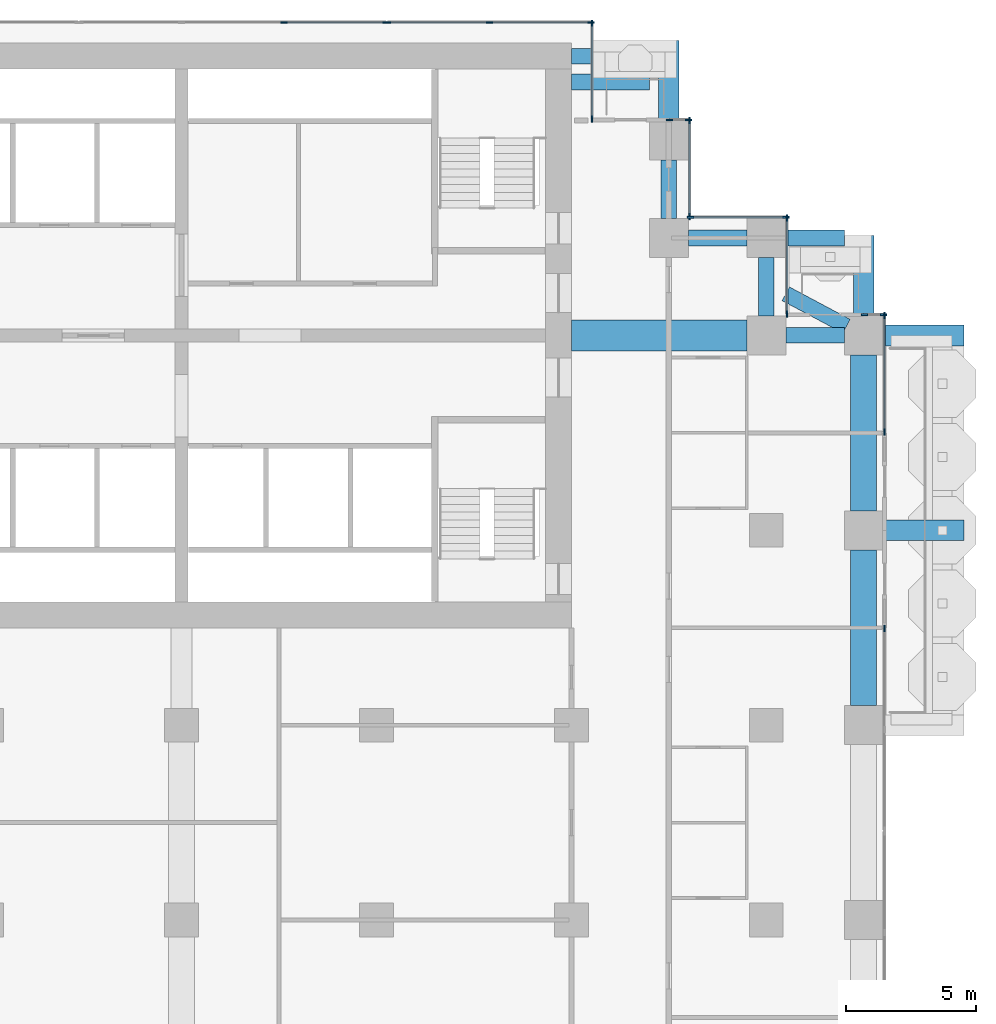
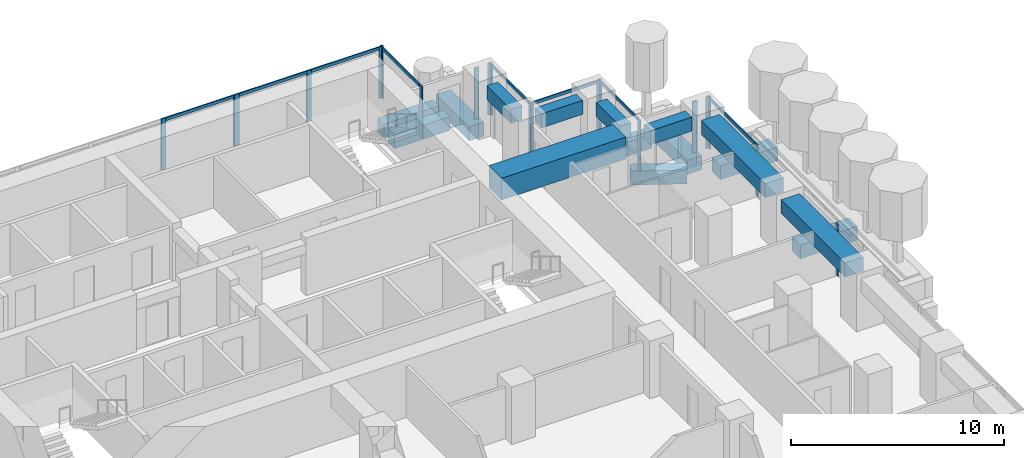
# One storey, part 6 of 20: 28 members, 15 beams, 10 elements without a shape of their own.
"""IFC4 building model written with IfcOpenShell, lengths in metres."""

from ifc_helpers import new_model, si_unit, direction, frame, origin, origin_2d, place, context, subcontext, project, spatial, rectangle, extrude, material, material_profile, profile_set, type_object, element, aggregate, save


model = new_model("IFC4")

# Units and contexts
model_context = context("Model", 3, precision=1e-05, world=origin(), true_north=direction((0.0, 1.0)))
body_context = subcontext(model_context, "Body", "Model", "MODEL_VIEW")
ifc_project = project(units=[si_unit("LENGTHUNIT", "METRE"), si_unit("AREAUNIT", "SQUARE_METRE"), si_unit("VOLUMEUNIT", "CUBIC_METRE"), si_unit("PLANEANGLEUNIT", "RADIAN"), si_unit("MASSUNIT", "GRAM", prefix="KILO")], contexts=[model_context])

# Site, building, storey
site_placement = place(None, origin())
site = spatial("IfcSite", under=ifc_project, at=site_placement, CompositionType="ELEMENT")
building_placement = place(site_placement, origin())
building = spatial("IfcBuilding", under=site, at=building_placement, Name="Pilkhan Gate Tower", CompositionType="ELEMENT")
storey_placement = place(building_placement, frame((0.0, 0.0, 98.89990234375)))
storey = spatial("IfcBuildingStorey", under=building, at=storey_placement, Name="L24", CompositionType="ELEMENT", Elevation=98.89990234375)

# Beams
ifc_material_1 = material(Name="Concrete C50/60", Category="concrete")
ifc_material_profile_1 = material_profile(ifc_material_1, rectangle(XDim=0.60009765625, YDim=0.800048828125, at=origin_2d()), Name="RC 600x800")
ifc_profile_set_1 = profile_set([ifc_material_profile_1], Name="Concrete C50/60")
beam_type_1 = type_object("IfcBeamType", Name="Cantilever beam CB1 RC 600x800 C50/60", PredefinedType="BEAM", material=ifc_profile_set_1)
for number, where, z_axis, x_axis, name in (
    (1, (90.0, 93.25, -0.699951171875), (1.0, 0.0, 0.0), (0.0, 1.0, 0.0), "Balcony beam NE.2 L24"),
    (2, (90.0, 92.25, -0.699951171875), (1.0, 0.0, 0.0), (0.0, 1.0, 0.0), "Balcony beam NE.3 L24"),
):
    element("IfcBeam", number, at=place(storey_placement, frame(where, z_axis=z_axis, x_axis=x_axis)), inside=storey, type_object=beam_type_1, Name=name, PredefinedType="BEAM", context=body_context, shape_type="SweptSolid", body=[
        extrude(rectangle(XDim=0.60009765625, YDim=0.800048828125, at=origin_2d()), origin(), (0.0, 0.0, 1.0), 3.0),
    ])
beam_1_placement = place(storey_placement, frame((98.25, 86.25, -0.699951171875), z_axis=(1.0, 0.0, 0.0), x_axis=(0.0, 1.0, 0.0)))
element("IfcBeam", 3, at=beam_1_placement, inside=storey, type_object=beam_type_1, Name="Balcony beam NE2.2 L24", PredefinedType="BEAM", context=body_context, shape_type="SweptSolid", body=[
    extrude(rectangle(XDim=0.60009765625, YDim=0.800048828125, at=origin_2d()), origin(), (0.0, 0.0, 1.0), 2.25),
])
beam_2_placement = place(storey_placement, frame((100.588134765625, 82.85302734375, -0.699951171875), z_axis=(-0.882342739565, 0.470607362817, 0.0), x_axis=(-0.470607362817, -0.882342739565, 0.0)))
element("IfcBeam", 4, at=beam_2_placement, inside=storey, type_object=beam_type_1, Name="Balcony beam NE2.3 L24", PredefinedType="BEAM", context=body_context, shape_type="SweptSolid", body=[
    extrude(rectangle(XDim=0.60009765625, YDim=0.800048828125, at=origin_2d()), origin(), (0.0, 0.0, 1.0), 2.64990234375),
])
ifc_material_profile_2 = material_profile(ifc_material_1, rectangle(XDim=0.800048828125, YDim=0.800048828125, at=origin_2d()), Name="RC 800x800")
ifc_profile_set_2 = profile_set([ifc_material_profile_2], Name="Concrete C50/60")
beam_type_2 = type_object("IfcBeamType", Name="Cantilever beam CB2 RC 800x800 C50/60", PredefinedType="BEAM", material=ifc_profile_set_2)
for number, where, z_axis, x_axis, name in (
    (5, (102.0, 75.0, -0.699951171875), (1.0, 0.0, 0.0), (0.0, 1.0, 0.0), "Balcony beam E.2 L24"),
    (6, (102.0, 82.5, -0.699951171875), (1.0, 0.0, 0.0), (0.0, 1.0, 0.0), "Balcony beam E.3 L24"),
    (7, (93.75, 90.75, -0.699951171875), (0.0, 1.0, 0.0), (-1.0, 0.0, 0.0), "Balcony beam NE.1 L24"),
    (8, (101.25, 83.25, -0.699951171875), (0.0, 1.0, 0.0), (-1.0, 0.0, 0.0), "Balcony beam NE2.1 L24"),
):
    element("IfcBeam", number, at=place(storey_placement, frame(where, z_axis=z_axis, x_axis=x_axis)), inside=storey, type_object=beam_type_2, Name=name, PredefinedType="BEAM", context=body_context, shape_type="SweptSolid", body=[
        extrude(rectangle(XDim=0.800048828125, YDim=0.800048828125, at=origin_2d()), origin(), (0.0, 0.0, 1.0), 3.10009765625),
    ])

# Curtain wall, member
ifc_material_2 = material(Name="Pale anodised aluminium, clear low-iron double glazing", Category="aluminium")
curtain_wall_type = type_object("IfcCurtainWallType", Name="Hotel unitised curtain wall CW-H", PredefinedType="USERDEFINED", material=ifc_material_2)
curtain_wall_1_placement = place(storey_placement, origin())
curtain_wall_1 = element("IfcCurtainWall", 9, at=curtain_wall_1_placement, inside=storey, type_object=curtain_wall_type, Name="Hotel unitised curtain wall CW-H L24 E", ObjectType="UNITISED CURTAIN WALL", PredefinedType="USERDEFINED")
ifc_material_3 = material(Name="Pale anodised aluminium", Category="aluminium")
ifc_material_profile_3 = material_profile(ifc_material_3, rectangle(XDim=0.06494140625, YDim=0.25, at=origin_2d()), Name="Mullion 250x65")
ifc_profile_set_3 = profile_set([ifc_material_profile_3], Name="Pale anodised aluminium")
member_type_1 = type_object("IfcMemberType", Name="Mullion CW-H 250x65", PredefinedType="MULLION", material=ifc_profile_set_3)
member_1_placement = place(storey_placement, frame((102.044921875, 71.217529296875, 0.0), z_axis=(0.0, 0.0, 1.0), x_axis=(-1.0, 0.0, 0.0)))
member_1 = element("IfcMember", 10, at=member_1_placement, type_object=member_type_1, Name="CW-H mullion 3", PredefinedType="MULLION", context=body_context, shape_type="SweptSolid", body=[
    extrude(rectangle(XDim=0.06494140625, YDim=0.25, at=origin_2d()), origin(), (0.0, 0.0, 1.0), 2.9501953125),
])
aggregate(curtain_wall_1, [member_1])

# Curtain wall, members
curtain_wall_2_placement = place(storey_placement, origin())
curtain_wall_2 = element("IfcCurtainWall", 11, at=curtain_wall_2_placement, inside=storey, type_object=curtain_wall_type, Name="Hotel unitised curtain wall CW-H L24 E", ObjectType="UNITISED CURTAIN WALL", PredefinedType="USERDEFINED")
member_2_placement = place(storey_placement, frame((102.044921875, 78.782470703125, 0.0), z_axis=(0.0, 0.0, 1.0), x_axis=(-1.0, 0.0, 0.0)))
member_2 = element("IfcMember", 12, at=member_2_placement, type_object=member_type_1, Name="CW-H mullion 1", PredefinedType="MULLION", context=body_context, shape_type="SweptSolid", body=[
    extrude(rectangle(XDim=0.06494140625, YDim=0.25, at=origin_2d()), origin(), (0.0, 0.0, 1.0), 2.9501953125),
])
member_3_placement = place(storey_placement, frame((102.044921875, 83.262451171875, 0.0), z_axis=(0.0, 0.0, 1.0), x_axis=(-1.0, 0.0, 0.0)))
member_3 = element("IfcMember", 13, at=member_3_placement, type_object=member_type_1, Name="CW-H mullion 2", PredefinedType="MULLION", context=body_context, shape_type="SweptSolid", body=[
    extrude(rectangle(XDim=0.06494140625, YDim=0.25, at=origin_2d()), origin(), (0.0, 0.0, 1.0), 2.9501953125),
])

curtain_wall_3_placement = place(storey_placement, origin())
curtain_wall_3 = element("IfcCurtainWall", 14, at=curtain_wall_3_placement, inside=storey, type_object=curtain_wall_type, Name="Hotel unitised curtain wall CW-H L24 N", ObjectType="UNITISED CURTAIN WALL", PredefinedType="USERDEFINED")
member_4_placement = place(storey_placement, frame((101.282470703125, 83.294921875, 0.0), z_axis=(0.0, 0.0, 1.0), x_axis=(0.0, 1.0, 0.0)))
member_4 = element("IfcMember", 15, at=member_4_placement, type_object=member_type_1, Name="CW-H mullion 1", PredefinedType="MULLION", context=body_context, shape_type="SweptSolid", body=[
    extrude(rectangle(XDim=0.06494140625, YDim=0.25, at=origin_2d()), origin(), (0.0, 0.0, 1.0), 2.9501953125),
])
member_5_placement = place(storey_placement, frame((102.012451171875, 83.294921875, 0.0), z_axis=(0.0, 0.0, 1.0), x_axis=(0.0, 1.0, 0.0)))
member_5 = element("IfcMember", 16, at=member_5_placement, type_object=member_type_1, Name="CW-H mullion 2", PredefinedType="MULLION", context=body_context, shape_type="SweptSolid", body=[
    extrude(rectangle(XDim=0.06494140625, YDim=0.25, at=origin_2d()), origin(), (0.0, 0.0, 1.0), 2.9501953125),
])
aggregate(curtain_wall_3, [member_4, member_5])

curtain_wall_4_placement = place(storey_placement, origin())
curtain_wall_4 = element("IfcCurtainWall", 17, at=curtain_wall_4_placement, inside=storey, type_object=curtain_wall_type, Name="Hotel unitised curtain wall CW-H L24 E", ObjectType="UNITISED CURTAIN WALL", PredefinedType="USERDEFINED")
member_6_placement = place(storey_placement, frame((98.294921875, 83.327392578125, 0.0), z_axis=(0.0, 0.0, 1.0), x_axis=(-1.0, 0.0, 0.0)))
member_6 = element("IfcMember", 18, at=member_6_placement, type_object=member_type_1, Name="CW-H mullion 1", PredefinedType="MULLION", context=body_context, shape_type="SweptSolid", body=[
    extrude(rectangle(XDim=0.06494140625, YDim=0.25, at=origin_2d()), origin(), (0.0, 0.0, 1.0), 2.9501953125),
])
member_7_placement = place(storey_placement, frame((98.294921875, 87.012451171875, 0.0), z_axis=(0.0, 0.0, 1.0), x_axis=(-1.0, 0.0, 0.0)))
member_7 = element("IfcMember", 19, at=member_7_placement, type_object=member_type_1, Name="CW-H mullion 2", PredefinedType="MULLION", context=body_context, shape_type="SweptSolid", body=[
    extrude(rectangle(XDim=0.06494140625, YDim=0.25, at=origin_2d()), origin(), (0.0, 0.0, 1.0), 2.9501953125),
])

curtain_wall_5_placement = place(storey_placement, origin())
curtain_wall_5 = element("IfcCurtainWall", 20, at=curtain_wall_5_placement, inside=storey, type_object=curtain_wall_type, Name="Hotel unitised curtain wall CW-H L24 N", ObjectType="UNITISED CURTAIN WALL", PredefinedType="USERDEFINED")
member_8_placement = place(storey_placement, frame((94.577392578125, 87.044921875, 0.0), z_axis=(0.0, 0.0, 1.0), x_axis=(0.0, 1.0, 0.0)))
member_8 = element("IfcMember", 21, at=member_8_placement, type_object=member_type_1, Name="CW-H mullion 1", PredefinedType="MULLION", context=body_context, shape_type="SweptSolid", body=[
    extrude(rectangle(XDim=0.06494140625, YDim=0.25, at=origin_2d()), origin(), (0.0, 0.0, 1.0), 2.9501953125),
])
member_9_placement = place(storey_placement, frame((98.262451171875, 87.044921875, 0.0), z_axis=(0.0, 0.0, 1.0), x_axis=(0.0, 1.0, 0.0)))
member_9 = element("IfcMember", 22, at=member_9_placement, type_object=member_type_1, Name="CW-H mullion 2", PredefinedType="MULLION", context=body_context, shape_type="SweptSolid", body=[
    extrude(rectangle(XDim=0.06494140625, YDim=0.25, at=origin_2d()), origin(), (0.0, 0.0, 1.0), 2.9501953125),
])

curtain_wall_6_placement = place(storey_placement, origin())
curtain_wall_6 = element("IfcCurtainWall", 23, at=curtain_wall_6_placement, inside=storey, type_object=curtain_wall_type, Name="Hotel unitised curtain wall CW-H L24 E", ObjectType="UNITISED CURTAIN WALL", PredefinedType="USERDEFINED")
member_10_placement = place(storey_placement, frame((94.544921875, 87.077392578125, 0.0), z_axis=(0.0, 0.0, 1.0), x_axis=(-1.0, 0.0, 0.0)))
member_10 = element("IfcMember", 24, at=member_10_placement, type_object=member_type_1, Name="CW-H mullion 1", PredefinedType="MULLION", context=body_context, shape_type="SweptSolid", body=[
    extrude(rectangle(XDim=0.06494140625, YDim=0.25, at=origin_2d()), origin(), (0.0, 0.0, 1.0), 2.9501953125),
])
member_11_placement = place(storey_placement, frame((94.544921875, 90.762451171875, 0.0), z_axis=(0.0, 0.0, 1.0), x_axis=(-1.0, 0.0, 0.0)))
member_11 = element("IfcMember", 25, at=member_11_placement, type_object=member_type_1, Name="CW-H mullion 2", PredefinedType="MULLION", context=body_context, shape_type="SweptSolid", body=[
    extrude(rectangle(XDim=0.06494140625, YDim=0.25, at=origin_2d()), origin(), (0.0, 0.0, 1.0), 2.9501953125),
])

curtain_wall_7_placement = place(storey_placement, origin())
curtain_wall_7 = element("IfcCurtainWall", 26, at=curtain_wall_7_placement, inside=storey, type_object=curtain_wall_type, Name="Hotel unitised curtain wall CW-H L24 N", ObjectType="UNITISED CURTAIN WALL", PredefinedType="USERDEFINED")
member_12_placement = place(storey_placement, frame((93.782470703125, 90.794921875, 0.0), z_axis=(0.0, 0.0, 1.0), x_axis=(0.0, 1.0, 0.0)))
member_12 = element("IfcMember", 27, at=member_12_placement, type_object=member_type_1, Name="CW-H mullion 1", PredefinedType="MULLION", context=body_context, shape_type="SweptSolid", body=[
    extrude(rectangle(XDim=0.06494140625, YDim=0.25, at=origin_2d()), origin(), (0.0, 0.0, 1.0), 2.9501953125),
])
member_13_placement = place(storey_placement, frame((94.512451171875, 90.794921875, 0.0), z_axis=(0.0, 0.0, 1.0), x_axis=(0.0, 1.0, 0.0)))
member_13 = element("IfcMember", 28, at=member_13_placement, type_object=member_type_1, Name="CW-H mullion 2", PredefinedType="MULLION", context=body_context, shape_type="SweptSolid", body=[
    extrude(rectangle(XDim=0.06494140625, YDim=0.25, at=origin_2d()), origin(), (0.0, 0.0, 1.0), 2.9501953125),
])
aggregate(curtain_wall_7, [member_12, member_13])

curtain_wall_8_placement = place(storey_placement, origin())
curtain_wall_8 = element("IfcCurtainWall", 29, at=curtain_wall_8_placement, inside=storey, type_object=curtain_wall_type, Name="Hotel unitised curtain wall CW-H L24 E", ObjectType="UNITISED CURTAIN WALL", PredefinedType="USERDEFINED")
member_14_placement = place(storey_placement, frame((90.794921875, 90.827392578125, 0.0), z_axis=(0.0, 0.0, 1.0), x_axis=(-1.0, 0.0, 0.0)))
member_14 = element("IfcMember", 30, at=member_14_placement, type_object=member_type_1, Name="CW-H mullion 1", PredefinedType="MULLION", context=body_context, shape_type="SweptSolid", body=[
    extrude(rectangle(XDim=0.06494140625, YDim=0.25, at=origin_2d()), origin(), (0.0, 0.0, 1.0), 2.9501953125),
])
member_15_placement = place(storey_placement, frame((90.794921875, 94.512451171875, 0.0), z_axis=(0.0, 0.0, 1.0), x_axis=(-1.0, 0.0, 0.0)))
member_15 = element("IfcMember", 31, at=member_15_placement, type_object=member_type_1, Name="CW-H mullion 2", PredefinedType="MULLION", context=body_context, shape_type="SweptSolid", body=[
    extrude(rectangle(XDim=0.06494140625, YDim=0.25, at=origin_2d()), origin(), (0.0, 0.0, 1.0), 2.9501953125),
])

curtain_wall_9_placement = place(storey_placement, origin())
curtain_wall_9 = element("IfcCurtainWall", 32, at=curtain_wall_9_placement, inside=storey, type_object=curtain_wall_type, Name="Hotel unitised curtain wall CW-H L24 N", ObjectType="UNITISED CURTAIN WALL", PredefinedType="USERDEFINED")
member_16_placement = place(storey_placement, frame((78.94873046875, 94.544921875, 0.0), z_axis=(0.0, 0.0, 1.0), x_axis=(0.0, 1.0, 0.0)))
member_16 = element("IfcMember", 33, at=member_16_placement, type_object=member_type_1, Name="CW-H mullion 3", PredefinedType="MULLION", context=body_context, shape_type="SweptSolid", body=[
    extrude(rectangle(XDim=0.06494140625, YDim=0.25, at=origin_2d()), origin(), (0.0, 0.0, 1.0), 2.9501953125),
])
member_17_placement = place(storey_placement, frame((82.864990234375, 94.544921875, 0.0), z_axis=(0.0, 0.0, 1.0), x_axis=(0.0, 1.0, 0.0)))
member_17 = element("IfcMember", 34, at=member_17_placement, type_object=member_type_1, Name="CW-H mullion 4", PredefinedType="MULLION", context=body_context, shape_type="SweptSolid", body=[
    extrude(rectangle(XDim=0.06494140625, YDim=0.25, at=origin_2d()), origin(), (0.0, 0.0, 1.0), 2.9501953125),
])

curtain_wall_10_placement = place(storey_placement, origin())
curtain_wall_10 = element("IfcCurtainWall", 35, at=curtain_wall_10_placement, inside=storey, type_object=curtain_wall_type, Name="Hotel unitised curtain wall CW-H L24 N", ObjectType="UNITISED CURTAIN WALL", PredefinedType="USERDEFINED")
member_18_placement = place(storey_placement, frame((82.929931640625, 94.544921875, 0.0), z_axis=(0.0, 0.0, 1.0), x_axis=(0.0, 1.0, 0.0)))
member_18 = element("IfcMember", 36, at=member_18_placement, type_object=member_type_1, Name="CW-H mullion 1", PredefinedType="MULLION", context=body_context, shape_type="SweptSolid", body=[
    extrude(rectangle(XDim=0.06494140625, YDim=0.25, at=origin_2d()), origin(), (0.0, 0.0, 1.0), 2.9501953125),
])
member_19_placement = place(storey_placement, frame((86.84619140625, 94.544921875, 0.0), z_axis=(0.0, 0.0, 1.0), x_axis=(0.0, 1.0, 0.0)))
member_19 = element("IfcMember", 37, at=member_19_placement, type_object=member_type_1, Name="CW-H mullion 2", PredefinedType="MULLION", context=body_context, shape_type="SweptSolid", body=[
    extrude(rectangle(XDim=0.06494140625, YDim=0.25, at=origin_2d()), origin(), (0.0, 0.0, 1.0), 2.9501953125),
])
member_20_placement = place(storey_placement, frame((90.762451171875, 94.544921875, 0.0), z_axis=(0.0, 0.0, 1.0), x_axis=(0.0, 1.0, 0.0)))
member_20 = element("IfcMember", 38, at=member_20_placement, type_object=member_type_1, Name="CW-H mullion 3", PredefinedType="MULLION", context=body_context, shape_type="SweptSolid", body=[
    extrude(rectangle(XDim=0.06494140625, YDim=0.25, at=origin_2d()), origin(), (0.0, 0.0, 1.0), 2.9501953125),
])

# Beams
ifc_material_4 = material(Name="Concrete C60/75", Category="concrete")
ifc_material_profile_4 = material_profile(ifc_material_4, rectangle(XDim=1.199951171875, YDim=1.25, at=origin_2d()), Name="RC 1200x1250")
ifc_profile_set_4 = profile_set([ifc_material_profile_4], Name="Concrete C60/75")
beam_type_3 = type_object("IfcBeamType", Name="Outrigger support beam OB3 RC 1200x1250 C60/75", PredefinedType="BEAM", material=ifc_profile_set_4)
beam_3_placement = place(storey_placement, frame((90.0, 82.5, 2.675048828125), z_axis=(1.0, 0.0, 0.0), x_axis=(0.0, 1.0, 0.0)))
element("IfcBeam", 39, at=beam_3_placement, inside=storey, type_object=beam_type_3, Name="Outrigger support beam 1 L25", PredefinedType="BEAM", context=body_context, shape_type="SweptSolid", body=[
    extrude(rectangle(XDim=1.199951171875, YDim=1.25, at=origin_2d()), origin(), (0.0, 0.0, 1.0), 6.75),
])
ifc_material_profile_5 = material_profile(ifc_material_1, rectangle(XDim=0.60009765625, YDim=0.800048828125, at=origin_2d()), Name="RC 600x800")
ifc_profile_set_5 = profile_set([ifc_material_profile_5], Name="Concrete C50/60")
beam_type_4 = type_object("IfcBeamType", Name="Terrace edge beam TEB RC 600x800 C50/60", PredefinedType="BEAM", material=ifc_profile_set_5)
for number, where, z_axis, x_axis, name in (
    (40, (93.75, 89.25, 2.550048828125), (0.0, -1.0, 0.0), (1.0, 0.0, 0.0), "Terrace edge beam 25 L25"),
    (41, (94.5, 86.25, 2.550048828125), (1.0, 0.0, 0.0), (0.0, 1.0, 0.0), "Terrace edge beam 26 L25"),
    (42, (97.5, 85.5, 2.550048828125), (0.0, -1.0, 0.0), (1.0, 0.0, 0.0), "Terrace edge beam 27 L25"),
    (43, (98.25, 82.5, 2.550048828125), (1.0, 0.0, 0.0), (0.0, 1.0, 0.0), "Terrace edge beam 28 L25"),
):
    element("IfcBeam", number, at=place(storey_placement, frame(where, z_axis=z_axis, x_axis=x_axis)), inside=storey, type_object=beam_type_4, Name=name, PredefinedType="BEAM", context=body_context, shape_type="SweptSolid", body=[
        extrude(rectangle(XDim=0.60009765625, YDim=0.800048828125, at=origin_2d()), origin(), (0.0, 0.0, 1.0), 2.25),
    ])
ifc_material_profile_6 = material_profile(ifc_material_1, rectangle(XDim=1.0, YDim=0.800048828125, at=origin_2d()), Name="RC 1000x800")
ifc_profile_set_6 = profile_set([ifc_material_profile_6], Name="Concrete C50/60")
beam_type_5 = type_object("IfcBeamType", Name="Terrace edge beam TEB10W RC 1000x800 C50/60", PredefinedType="BEAM", material=ifc_profile_set_6)
for number, where, z_axis, x_axis, name in (
    (44, (101.25, 81.75, 2.550048828125), (0.0, -1.0, 0.0), (1.0, 0.0, 0.0), "Terrace edge beam 29 L25"),
    (45, (101.25, 74.25, 2.550048828125), (0.0, -1.0, 0.0), (1.0, 0.0, 0.0), "Terrace edge beam 30 L25"),
):
    element("IfcBeam", number, at=place(storey_placement, frame(where, z_axis=z_axis, x_axis=x_axis)), inside=storey, type_object=beam_type_5, Name=name, PredefinedType="BEAM", context=body_context, shape_type="SweptSolid", body=[
        extrude(rectangle(XDim=1.0, YDim=0.800048828125, at=origin_2d()), origin(), (0.0, 0.0, 1.0), 6.0),
    ])

# Member
ifc_material_profile_7 = material_profile(ifc_material_3, rectangle(XDim=0.06494140625, YDim=0.179931640625, at=origin_2d()), Name="Transom 180x65")
ifc_profile_set_7 = profile_set([ifc_material_profile_7], Name="Pale anodised aluminium")
member_type_2 = type_object("IfcMemberType", Name="Transom CW-H 180x65", PredefinedType="USERDEFINED", material=ifc_profile_set_7)
member_21_placement = place(storey_placement, frame((102.044921875, 78.81494140625, 2.860107421875), z_axis=(0.0, 1.0, 0.0), x_axis=(-1.0, 0.0, 0.0)))
member_21 = element("IfcMember", 46, at=member_21_placement, type_object=member_type_2, Name="CW-H transom 1", ObjectType="TRANSOM", PredefinedType="USERDEFINED", context=body_context, shape_type="SweptSolid", body=[
    extrude(rectangle(XDim=0.06494140625, YDim=0.179931640625, at=origin_2d()), origin(), (0.0, 0.0, 1.0), 4.4150390625),
])

aggregate(curtain_wall_2, [member_2, member_3, member_21])

member_22_placement = place(storey_placement, frame((98.294921875, 83.360107421875, 2.860107421875), z_axis=(0.0, 1.0, 0.0), x_axis=(-1.0, 0.0, 0.0)))
member_22 = element("IfcMember", 47, at=member_22_placement, type_object=member_type_2, Name="CW-H transom 1", ObjectType="TRANSOM", PredefinedType="USERDEFINED", context=body_context, shape_type="SweptSolid", body=[
    extrude(rectangle(XDim=0.06494140625, YDim=0.179931640625, at=origin_2d()), origin(), (0.0, 0.0, 1.0), 3.619873046875),
])

aggregate(curtain_wall_4, [member_6, member_7, member_22])

member_23_placement = place(storey_placement, frame((94.610107421875, 87.044921875, 2.860107421875), z_axis=(1.0, 0.0, 0.0), x_axis=(0.0, 1.0, 0.0)))
member_23 = element("IfcMember", 48, at=member_23_placement, type_object=member_type_2, Name="CW-H transom 1", ObjectType="TRANSOM", PredefinedType="USERDEFINED", context=body_context, shape_type="SweptSolid", body=[
    extrude(rectangle(XDim=0.06494140625, YDim=0.179931640625, at=origin_2d()), origin(), (0.0, 0.0, 1.0), 3.619873046875),
])

aggregate(curtain_wall_5, [member_8, member_9, member_23])

member_24_placement = place(storey_placement, frame((94.544921875, 87.110107421875, 2.860107421875), z_axis=(0.0, 1.0, 0.0), x_axis=(-1.0, 0.0, 0.0)))
member_24 = element("IfcMember", 49, at=member_24_placement, type_object=member_type_2, Name="CW-H transom 1", ObjectType="TRANSOM", PredefinedType="USERDEFINED", context=body_context, shape_type="SweptSolid", body=[
    extrude(rectangle(XDim=0.06494140625, YDim=0.179931640625, at=origin_2d()), origin(), (0.0, 0.0, 1.0), 3.619873046875),
])

aggregate(curtain_wall_6, [member_10, member_11, member_24])

member_25_placement = place(storey_placement, frame((90.794921875, 90.860107421875, 2.860107421875), z_axis=(0.0, 1.0, 0.0), x_axis=(-1.0, 0.0, 0.0)))
member_25 = element("IfcMember", 50, at=member_25_placement, type_object=member_type_2, Name="CW-H transom 1", ObjectType="TRANSOM", PredefinedType="USERDEFINED", context=body_context, shape_type="SweptSolid", body=[
    extrude(rectangle(XDim=0.06494140625, YDim=0.179931640625, at=origin_2d()), origin(), (0.0, 0.0, 1.0), 3.619873046875),
])

aggregate(curtain_wall_8, [member_14, member_15, member_25])

member_26_placement = place(storey_placement, frame((78.981201171875, 94.544921875, 2.860107421875), z_axis=(1.0, 0.0, 0.0), x_axis=(0.0, 1.0, 0.0)))
member_26 = element("IfcMember", 51, at=member_26_placement, type_object=member_type_2, Name="CW-H transom 3", ObjectType="TRANSOM", PredefinedType="USERDEFINED", context=body_context, shape_type="SweptSolid", body=[
    extrude(rectangle(XDim=0.06494140625, YDim=0.179931640625, at=origin_2d()), origin(), (0.0, 0.0, 1.0), 3.851318359375),
])

aggregate(curtain_wall_9, [member_16, member_17, member_26])

member_27_placement = place(storey_placement, frame((82.96240234375, 94.544921875, 2.860107421875), z_axis=(1.0, 0.0, 0.0), x_axis=(0.0, 1.0, 0.0)))
member_27 = element("IfcMember", 52, at=member_27_placement, type_object=member_type_2, Name="CW-H transom 1", ObjectType="TRANSOM", PredefinedType="USERDEFINED", context=body_context, shape_type="SweptSolid", body=[
    extrude(rectangle(XDim=0.06494140625, YDim=0.179931640625, at=origin_2d()), origin(), (0.0, 0.0, 1.0), 3.851318359375),
])

member_28_placement = place(storey_placement, frame((86.878662109375, 94.544921875, 2.860107421875), z_axis=(1.0, 0.0, 0.0), x_axis=(0.0, 1.0, 0.0)))
member_28 = element("IfcMember", 53, at=member_28_placement, type_object=member_type_2, Name="CW-H transom 2", ObjectType="TRANSOM", PredefinedType="USERDEFINED", context=body_context, shape_type="SweptSolid", body=[
    extrude(rectangle(XDim=0.06494140625, YDim=0.179931640625, at=origin_2d()), origin(), (0.0, 0.0, 1.0), 3.851318359375),
])

aggregate(curtain_wall_10, [member_18, member_19, member_20, member_27, member_28])

save(model, "model.ifc")
